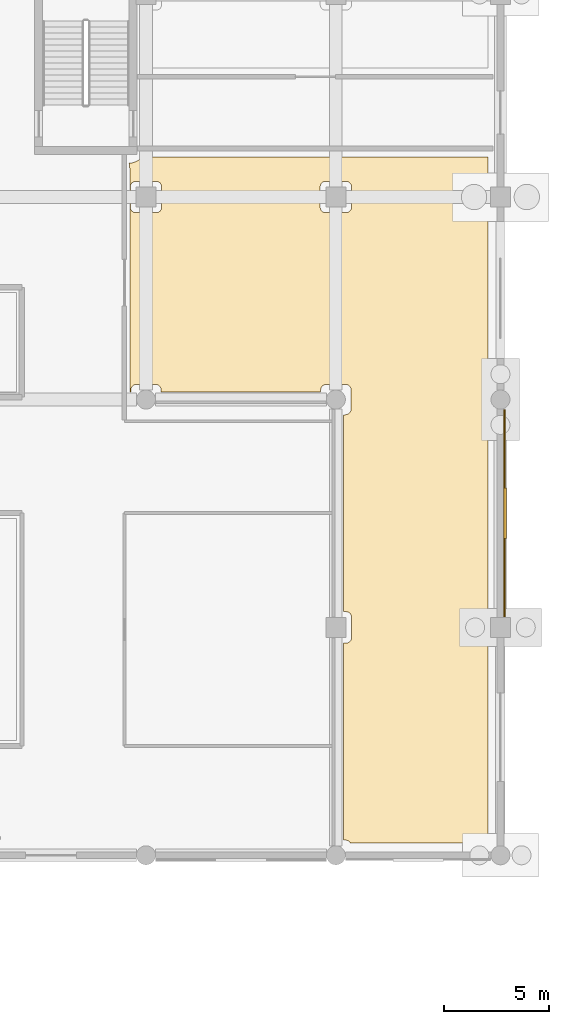
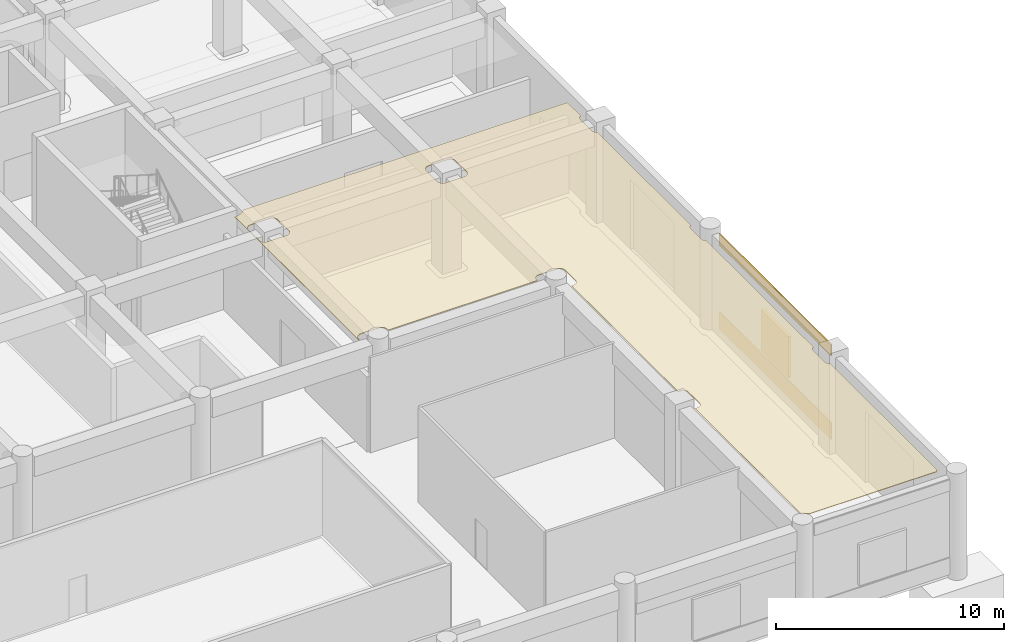
# One storey, part 70 of 74: 3 coverings, 1 shading device.
"""IFC4 building model written with IfcOpenShell, lengths in metres."""

import ifcopenshell
import ifcopenshell.guid

model = None  # the IFC model being written
_history = None  # IfcOwnerHistory: only IFC2X3 demands one
_inside = {}  # id of a spatial element -> (the spatial element, [elements in it])
_under = {}  # id of a project, library or spatial element -> (it, [spatial elements below it])
_declared = {}  # id of a project -> (the project, [libraries it declares])
_typed = {}  # id of a type object -> (the type object, [elements of that type])
_made_of = {}  # id of a material, layer set ... -> (it, [elements and type objects made of it])


def new_model(schema):
    """Start an empty IFC model of exactly this schema.

    Asked for "IFC4X3", IfcOpenShell would pick the latest addendum, in which some entities
    have other attributes; the version numbers below select the first issue.
    IFC2X3 requires an IfcOwnerHistory on every rooted entity: one is made here for all.
    """
    global model, _history
    if schema == "IFC4X3":
        model = ifcopenshell.file(schema_version=(4, 3, 0, 0))
    else:
        model = ifcopenshell.file(schema=schema)
    _inside.clear()
    _under.clear()
    _declared.clear()
    _typed.clear()
    _made_of.clear()
    _history = None
    if model.schema == "IFC2X3":
        org = make("IfcOrganization", Name="unknown")
        user = make(
            "IfcPersonAndOrganization",
            ThePerson=make("IfcPerson", FamilyName="unknown"),
            TheOrganization=org,
        )
        app = make(
            "IfcApplication",
            ApplicationDeveloper=org,
            Version="unknown",
            ApplicationFullName="unknown",
            ApplicationIdentifier="unknown",
        )
        _history = make(
            "IfcOwnerHistory",
            OwningUser=user,
            OwningApplication=app,
            ChangeAction="ADDED",
            CreationDate=0,
        )
    return model


def make(cls, **values):
    """One entity of the class cls with the attributes given. An attribute that is None is left unset."""
    return model.create_entity(
        cls, **{name: value for name, value in values.items() if value is not None}
    )


def rooted(cls, **values):
    """An entity with a GlobalId (a new one), such as an element, a storey or a relation."""
    return make(cls, GlobalId=ifcopenshell.guid.new(), OwnerHistory=_history, **values)


def si_unit(unit_type, name, prefix=None):
    """IfcSIUnit, for example si_unit("LENGTHUNIT", "METRE", prefix="MILLI")."""
    return make("IfcSIUnit", UnitType=unit_type, Prefix=prefix, Name=name)


def assignment(units):
    """IfcUnitAssignment: the units of a project."""
    return None if units is None else make("IfcUnitAssignment", Units=units)


def point(xyz):
    """IfcCartesianPoint."""
    return None if xyz is None else make("IfcCartesianPoint", Coordinates=xyz)


def direction(xyz):
    """IfcDirection."""
    return None if xyz is None else make("IfcDirection", DirectionRatios=xyz)


def frame(location, z_axis=None, x_axis=None):
    """IfcAxis2Placement3D, a coordinate frame: its origin and axes. An axis left out is left unset."""
    return make(
        "IfcAxis2Placement3D",
        Location=point(location),
        Axis=direction(z_axis),
        RefDirection=direction(x_axis),
    )


def frame_2d(location, x_axis=None):
    """IfcAxis2Placement2D, a coordinate frame in the plane: its origin and x axis."""
    return make(
        "IfcAxis2Placement2D", Location=point(location), RefDirection=direction(x_axis)
    )


def origin():
    """The frame at (0, 0, 0) with its axes left unset."""
    return frame((0.0, 0.0, 0.0))


def origin_2d():
    """The frame at (0, 0) in the plane with its x axis left unset."""
    return frame_2d((0.0, 0.0))


def place(relative_to, where):
    """IfcLocalPlacement: puts the frame where relative to a parent placement (None: the world)."""
    return make(
        "IfcLocalPlacement", PlacementRelTo=relative_to, RelativePlacement=where
    )


def context(
    kind, dimensions, precision=None, world=None, true_north=None, identifier=None
):
    """IfcGeometricRepresentationContext, for example the 3D "Model" context."""
    return make(
        "IfcGeometricRepresentationContext",
        ContextIdentifier=identifier,
        ContextType=kind,
        CoordinateSpaceDimension=dimensions,
        Precision=precision,
        WorldCoordinateSystem=world,
        TrueNorth=true_north,
    )


def subcontext(parent, identifier, kind, view, scale=None):
    """IfcGeometricRepresentationSubContext, for example "Body" below "Model"."""
    return make(
        "IfcGeometricRepresentationSubContext",
        ContextIdentifier=identifier,
        ContextType=kind,
        ParentContext=parent,
        TargetScale=scale,
        TargetView=view,
    )


def project(units=None, contexts=None):
    """IfcProject with its units and contexts."""
    return rooted(
        "IfcProject",
        Name="project",
        RepresentationContexts=contexts,
        UnitsInContext=assignment(units),
    )


def spatial(cls, under=None, at=None, **own):
    """A site, building, storey or space (cls), placed at a placement, below another one or the project."""
    s = rooted(cls, ObjectPlacement=at, **own)
    if under is not None:
        _under.setdefault(under.id(), (under, []))[1].append(s)
    return s


def polyline(points):
    """IfcPolyline through the points."""
    return make("IfcPolyline", Points=[point(p) for p in points])


def profile(cls, at=None, kind="AREA", **sizes):
    """A parametric profile (cls). Its sizes go by their IFC names, for example OverallWidth=200.0."""
    return make(cls, ProfileType=kind, Position=at, **sizes)


def rectangle(**sizes):
    """IfcRectangleProfileDef."""
    return profile("IfcRectangleProfileDef", **sizes)


def outline(outer, holes=None, kind="AREA"):
    """IfcArbitraryClosedProfileDef: a profile drawn as a closed curve; with holes, ...WithVoids."""
    if holes is None:
        return make("IfcArbitraryClosedProfileDef", ProfileType=kind, OuterCurve=outer)
    return make(
        "IfcArbitraryProfileDefWithVoids",
        ProfileType=kind,
        OuterCurve=outer,
        InnerCurves=holes,
    )


def extrude(swept, where, along, depth):
    """IfcExtrudedAreaSolid: the profile swept, set in the frame where, extruded along a direction by depth."""
    return make(
        "IfcExtrudedAreaSolid",
        SweptArea=swept,
        Position=where,
        ExtrudedDirection=direction(along),
        Depth=depth,
    )


def shape(context_of_items, identifier, shape_type, items):
    """IfcShapeRepresentation: the items that make up one representation, for example the "Body"."""
    return make(
        "IfcShapeRepresentation",
        ContextOfItems=context_of_items,
        RepresentationIdentifier=identifier,
        RepresentationType=shape_type,
        Items=items,
    )


def material(Name=None, Category=None):
    """IfcMaterial."""
    return make("IfcMaterial", Name=Name, Category=Category)


def layer(
    of_material, thickness, ventilated=None, Name=None, Category=None, Priority=None
):
    """IfcMaterialLayer: one layer of a wall or slab, of a material (None: an air gap)."""
    return make(
        "IfcMaterialLayer",
        Material=of_material,
        LayerThickness=thickness,
        IsVentilated=ventilated,
        Name=Name,
        Category=Category,
        Priority=Priority,
    )


def layer_set(layers, Name=None):
    """IfcMaterialLayerSet."""
    return make("IfcMaterialLayerSet", MaterialLayers=layers, LayerSetName=Name)


def made_of(thing, what):
    """Note that an element or type object is made of a material, layer set ...; save() writes the relation."""
    if what is not None:
        _made_of.setdefault(what.id(), (what, []))[1].append(thing)
    return thing


def type_object(cls, material=None, **own):
    """A type object (cls), such as IfcWallType, which elements share."""
    return made_of(rooted(cls, **own), material)


def element(
    cls,
    number,
    at=None,
    inside=None,
    cuts=None,
    type_object=None,
    material=None,
    context=None,
    identifier="Body",
    shape_type=None,
    held_by="IfcProductDefinitionShape",
    body=None,
    shapes=None,
    **own,
):
    """One element of the class cls, such as IfcWall. Its Tag is "e" and its number.

    at: its placement. inside: the storey or other place that contains it. cuts: it is an
    opening in that element (IfcRelVoidsElement). A single representation is given by context,
    identifier, shape_type and body (its items); several are given by shapes. held_by: the class
    of the entity that holds the representations. save() writes the other relations.
    """
    e = rooted(cls, Tag="e%d" % number, ObjectPlacement=at, **own)
    if body is not None:
        shapes = [shape(context, identifier, shape_type, body)]
    if shapes is not None:
        e.Representation = make(held_by, Representations=shapes)
    if inside is not None:
        _inside.setdefault(inside.id(), (inside, []))[1].append(e)
    if cuts is not None:
        rooted(
            "IfcRelVoidsElement", RelatingBuildingElement=cuts, RelatedOpeningElement=e
        )
    if type_object is not None:
        _typed.setdefault(type_object.id(), (type_object, []))[1].append(e)
    return made_of(e, material)


def aggregate(whole, parts):
    """IfcRelAggregates: a whole, such as a stair, and the parts it consists of."""
    return rooted("IfcRelAggregates", RelatingObject=whole, RelatedObjects=parts)


def save(model, path):
    """Write the relations noted so far, then the file.

    IfcRelAggregates (storeys below a building ...), IfcRelContainedInSpatialStructure (elements
    in a storey), IfcRelDefinesByType, IfcRelAssociatesMaterial and IfcRelDeclares: one each for
    every whole, place, type object, material and project.
    """
    for whole, parts in _under.values():
        aggregate(whole, parts)
    for where, things in _inside.values():
        rooted(
            "IfcRelContainedInSpatialStructure",
            RelatedElements=things,
            RelatingStructure=where,
        )
    for kind, things in _typed.values():
        rooted("IfcRelDefinesByType", RelatedObjects=things, RelatingType=kind)
    for what, things in _made_of.values():
        rooted("IfcRelAssociatesMaterial", RelatedObjects=things, RelatingMaterial=what)
    for by, libraries in _declared.values():
        rooted("IfcRelDeclares", RelatingContext=by, RelatedDefinitions=libraries)
    model.write(path)


model = new_model("IFC4")

# Units and contexts
model_context = context("Model", 3, precision=1e-05, world=origin(), true_north=direction((0.0, 1.0)))
body_context = subcontext(model_context, "Body", "Model", "MODEL_VIEW")
ifc_project = project(units=[si_unit("LENGTHUNIT", "METRE"), si_unit("AREAUNIT", "SQUARE_METRE"), si_unit("VOLUMEUNIT", "CUBIC_METRE"), si_unit("PLANEANGLEUNIT", "RADIAN"), si_unit("MASSUNIT", "GRAM", prefix="KILO")], contexts=[model_context])

# Site, building, storey
site_placement = place(None, origin())
site = spatial("IfcSite", under=ifc_project, at=site_placement, CompositionType="ELEMENT")
building_placement = place(site_placement, origin())
building = spatial("IfcBuilding", under=site, at=building_placement, Name="Cendralis Terraced Arcade", CompositionType="ELEMENT")
storey_placement = place(building_placement, origin())
storey = spatial("IfcBuildingStorey", under=building, at=storey_placement, Name="L00", CompositionType="ELEMENT", Elevation=0.0)

# Coverings
ifc_material_1 = material(Name="Warm Andean oak timber", Category="wood")
ifc_layer_1 = layer(ifc_material_1, 0.034912109375, Name="COV-CEIL-OAK-35")
ifc_layer_set_1 = layer_set([ifc_layer_1], Name="Warm Andean oak timber")
covering_type_1 = type_object("IfcCoveringType", Name="COV-CEIL-OAK-35", PredefinedType="CEILING", material=ifc_layer_set_1)
covering_1_placement = place(storey_placement, frame((0.0, 0.0, 5.054931640625)))
element("IfcCovering", 1, at=covering_1_placement, inside=storey, type_object=covering_type_1, Name="Acoustic Soffit Ceiling L00-047", PredefinedType="CEILING", context=body_context, shape_type="SweptSolid", body=[
    extrude(outline(polyline([(156.406005859375, 71.210205078125), (156.412109375, 71.210205078125), (156.418212890625, 71.21044921875), (156.459228515625, 71.21240234375), (156.4716796875, 71.21337890625), (156.4833984375, 71.214599609375), (156.49560546875, 71.216064453125), (156.5361328125, 71.22216796875), (156.54833984375, 71.22412109375), (156.559814453125, 71.2265625), (156.57177734375, 71.229248046875), (156.61181640625, 71.2392578125), (156.62353515625, 71.242431640625), (156.635009765625, 71.245849609375), (156.646484375, 71.249755859375), (156.685302734375, 71.263671875), (156.69677734375, 71.26806640625), (156.707763671875, 71.2724609375), (156.718994140625, 71.277587890625), (156.756103515625, 71.295166015625), (156.76708984375, 71.300537109375), (156.777587890625, 71.30615234375), (156.7880859375, 71.312255859375), (156.823486328125, 71.33349609375), (156.833984375, 71.340087890625), (156.84375, 71.346435546875), (156.853759765625, 71.353515625), (156.886962890625, 71.378173828125), (156.896484375, 71.3857421875), (156.905517578125, 71.393310546875), (156.914794921875, 71.401123046875), (156.945556640625, 71.428955078125), (156.954345703125, 71.437255859375), (156.962646484375, 71.44580078125), (156.97119140625, 71.45458984375), (156.998779296875, 71.485107421875), (157.003173828125, 71.489990234375), (173.409912109375, 71.489990234375), (173.409912109375, 70.3193359375), (173.40869140625, 70.318603515625), (173.386962890625, 70.30712890625), (173.385498046875, 70.30615234375), (173.364990234375, 70.29248046875), (173.36328125, 70.291259765625), (173.344482421875, 70.275634765625), (173.343017578125, 70.2744140625), (173.32568359375, 70.257080078125), (173.32421875, 70.255615234375), (173.30859375, 70.236572265625), (173.3076171875, 70.235107421875), (173.2939453125, 70.214599609375), (173.29296875, 70.212890625), (173.281494140625, 70.19140625), (173.280517578125, 70.189453125), (173.27099609375, 70.1669921875), (173.2705078125, 70.1650390625), (173.263427734375, 70.1416015625), (173.262939453125, 70.1396484375), (173.258056640625, 70.115478515625), (173.2578125, 70.113525390625), (173.25537109375, 70.089111328125), (173.25537109375, 70.08740234375), (173.2548828125, 70.074951171875), (173.2548828125, 69.125), (173.25537109375, 69.11279296875), (173.25537109375, 69.11083984375), (173.2578125, 69.08642578125), (173.258056640625, 69.08447265625), (173.262939453125, 69.060302734375), (173.263427734375, 69.058349609375), (173.2705078125, 69.034912109375), (173.27099609375, 69.033203125), (173.280517578125, 69.010498046875), (173.281494140625, 69.0087890625), (173.29296875, 68.987060546875), (173.2939453125, 68.9853515625), (173.3076171875, 68.965087890625), (173.30859375, 68.96337890625), (173.32421875, 68.9443359375), (173.32568359375, 68.943115234375), (173.343017578125, 68.925537109375), (173.344482421875, 68.92431640625), (173.36328125, 68.90869140625), (173.364990234375, 68.90771484375), (173.385498046875, 68.893798828125), (173.386962890625, 68.892822265625), (173.40869140625, 68.88134765625), (173.409912109375, 68.880615234375), (173.409912109375, 60.680908203125), (173.389892578125, 60.66748046875), (173.388427734375, 60.666259765625), (173.369384765625, 60.650634765625), (173.367919921875, 60.6494140625), (173.3505859375, 60.632080078125), (173.349365234375, 60.630615234375), (173.333740234375, 60.611572265625), (173.33251953125, 60.610107421875), (173.31884765625, 60.589599609375), (173.31787109375, 60.587890625), (173.306396484375, 60.56640625), (173.305419921875, 60.564453125), (173.296142578125, 60.5419921875), (173.29541015625, 60.5400390625), (173.288330078125, 60.5166015625), (173.287841796875, 60.5146484375), (173.283203125, 60.490478515625), (173.28271484375, 60.488525390625), (173.280517578125, 60.464111328125), (173.2802734375, 60.46240234375), (173.280029296875, 60.449951171875), (173.280029296875, 59.550048828125), (173.2802734375, 59.53759765625), (173.280517578125, 59.535888671875), (173.28271484375, 59.511474609375), (173.283203125, 59.509521484375), (173.287841796875, 59.4853515625), (173.288330078125, 59.4833984375), (173.29541015625, 59.4599609375), (173.296142578125, 59.4580078125), (173.305419921875, 59.435546875), (173.306396484375, 59.43359375), (173.31787109375, 59.412109375), (173.31884765625, 59.410400390625), (173.33251953125, 59.389892578125), (173.333740234375, 59.388427734375), (173.349365234375, 59.369384765625), (173.3505859375, 59.367919921875), (173.367919921875, 59.3505859375), (173.369384765625, 59.349365234375), (173.388427734375, 59.333740234375), (173.389892578125, 59.33251953125), (173.409912109375, 59.319091796875), (173.409912109375, 49.919189453125), (173.40869140625, 49.918701171875), (173.386962890625, 49.906982421875), (173.385498046875, 49.906005859375), (173.364990234375, 49.892333984375), (173.36328125, 49.891357421875), (173.344482421875, 49.875732421875), (173.343017578125, 49.87451171875), (173.32568359375, 49.85693359375), (173.32421875, 49.855712890625), (173.30859375, 49.836669921875), (173.3076171875, 49.8349609375), (173.2939453125, 49.814697265625), (173.29296875, 49.81298828125), (173.281494140625, 49.791259765625), (173.280517578125, 49.78955078125), (173.27099609375, 49.766845703125), (173.2705078125, 49.764892578125), (173.263427734375, 49.74169921875), (173.262939453125, 49.739501953125), (173.258056640625, 49.715576171875), (173.2578125, 49.713623046875), (173.25537109375, 49.689208984375), (173.25537109375, 49.687255859375), (173.2548828125, 49.675048828125), (173.2548828125, 48.72509765625), (173.25537109375, 48.712646484375), (173.25537109375, 48.710693359375), (173.2578125, 48.686279296875), (173.258056640625, 48.684326171875), (173.262939453125, 48.660400390625), (173.263427734375, 48.658447265625), (173.2705078125, 48.635009765625), (173.27099609375, 48.633056640625), (173.280517578125, 48.610595703125), (173.281494140625, 48.608642578125), (173.29296875, 48.5869140625), (173.2939453125, 48.58544921875), (173.3076171875, 48.56494140625), (173.30859375, 48.5634765625), (173.32421875, 48.54443359375), (173.32568359375, 48.54296875), (173.343017578125, 48.525634765625), (173.344482421875, 48.5244140625), (173.36328125, 48.5087890625), (173.364990234375, 48.507568359375), (173.385498046875, 48.493896484375), (173.386962890625, 48.492919921875), (173.40869140625, 48.4814453125), (173.409912109375, 48.480712890625), (173.409912109375, 39.080810546875), (173.389892578125, 39.0673828125), (173.388427734375, 39.06640625), (173.369384765625, 39.05078125), (173.367919921875, 39.04931640625), (173.3505859375, 39.031982421875), (173.349365234375, 39.030517578125), (173.333740234375, 39.01171875), (173.33251953125, 39.010009765625), (173.319091796875, 38.989990234375), (166.880859375, 38.989990234375), (166.867431640625, 39.010009765625), (166.8662109375, 39.01171875), (166.8505859375, 39.030517578125), (166.849365234375, 39.031982421875), (166.83203125, 39.04931640625), (166.83056640625, 39.05078125), (166.8115234375, 39.06640625), (166.81005859375, 39.0673828125), (166.78955078125, 39.0810546875), (166.7880859375, 39.08203125), (166.766357421875, 39.093505859375), (166.764404296875, 39.094482421875), (166.741943359375, 39.10400390625), (166.739990234375, 39.1044921875), (166.716552734375, 39.111572265625), (166.714599609375, 39.112060546875), (166.690673828125, 39.116943359375), (166.688720703125, 39.1171875), (166.664306640625, 39.11962890625), (166.662353515625, 39.11962890625), (166.64990234375, 39.1201171875), (166.570068359375, 39.1201171875), (166.570068359375, 48.455078125), (166.675048828125, 48.455078125), (166.687255859375, 48.455322265625), (166.689208984375, 48.455322265625), (166.713623046875, 48.457763671875), (166.715576171875, 48.4580078125), (166.739501953125, 48.462890625), (166.74169921875, 48.46337890625), (166.764892578125, 48.470458984375), (166.766845703125, 48.47119140625), (166.78955078125, 48.48046875), (166.791259765625, 48.4814453125), (166.81298828125, 48.492919921875), (166.814697265625, 48.493896484375), (166.8349609375, 48.507568359375), (166.836669921875, 48.5087890625), (166.855712890625, 48.5244140625), (166.85693359375, 48.525634765625), (166.87451171875, 48.54296875), (166.875732421875, 48.54443359375), (166.891357421875, 48.5634765625), (166.892333984375, 48.56494140625), (166.906005859375, 48.58544921875), (166.906982421875, 48.5869140625), (166.918701171875, 48.608642578125), (166.91943359375, 48.610595703125), (166.928955078125, 48.633056640625), (166.929443359375, 48.635009765625), (166.9365234375, 48.658447265625), (166.93701171875, 48.660400390625), (166.94189453125, 48.684326171875), (166.942138671875, 48.686279296875), (166.944580078125, 48.710693359375), (166.944580078125, 48.712646484375), (166.945068359375, 48.72509765625), (166.945068359375, 49.675048828125), (166.944580078125, 49.687255859375), (166.944580078125, 49.689208984375), (166.942138671875, 49.713623046875), (166.94189453125, 49.715576171875), (166.93701171875, 49.739501953125), (166.9365234375, 49.74169921875), (166.929443359375, 49.764892578125), (166.928955078125, 49.766845703125), (166.91943359375, 49.78955078125), (166.918701171875, 49.791259765625), (166.906982421875, 49.81298828125), (166.906005859375, 49.814697265625), (166.892333984375, 49.8349609375), (166.891357421875, 49.836669921875), (166.875732421875, 49.855712890625), (166.87451171875, 49.85693359375), (166.85693359375, 49.87451171875), (166.855712890625, 49.875732421875), (166.836669921875, 49.891357421875), (166.8349609375, 49.892333984375), (166.814697265625, 49.906005859375), (166.81298828125, 49.906982421875), (166.791259765625, 49.918701171875), (166.78955078125, 49.91943359375), (166.766845703125, 49.928955078125), (166.764892578125, 49.929443359375), (166.74169921875, 49.9365234375), (166.739501953125, 49.93701171875), (166.715576171875, 49.94189453125), (166.713623046875, 49.942138671875), (166.689208984375, 49.944580078125), (166.687255859375, 49.944580078125), (166.675048828125, 49.945068359375), (166.570068359375, 49.945068359375), (166.570068359375, 59.280029296875), (166.64990234375, 59.280029296875), (166.662353515625, 59.2802734375), (166.664306640625, 59.280517578125), (166.688720703125, 59.28271484375), (166.690673828125, 59.283203125), (166.714599609375, 59.287841796875), (166.716552734375, 59.288330078125), (166.739990234375, 59.29541015625), (166.741943359375, 59.296142578125), (166.764404296875, 59.305419921875), (166.766357421875, 59.306396484375), (166.7880859375, 59.31787109375), (166.78955078125, 59.31884765625), (166.81005859375, 59.33251953125), (166.8115234375, 59.333740234375), (166.83056640625, 59.349365234375), (166.83203125, 59.3505859375), (166.849365234375, 59.367919921875), (166.8505859375, 59.369384765625), (166.8662109375, 59.388427734375), (166.867431640625, 59.389892578125), (166.881103515625, 59.410400390625), (166.882080078125, 59.412109375), (166.8935546875, 59.43359375), (166.89453125, 59.435546875), (166.90380859375, 59.4580078125), (166.904541015625, 59.4599609375), (166.91162109375, 59.4833984375), (166.912109375, 59.4853515625), (166.9169921875, 59.509521484375), (166.917236328125, 59.511474609375), (166.919677734375, 59.535888671875), (166.919677734375, 59.53759765625), (166.919921875, 59.550048828125), (166.919921875, 60.449951171875), (166.919677734375, 60.46240234375), (166.919677734375, 60.464111328125), (166.917236328125, 60.488525390625), (166.9169921875, 60.490478515625), (166.912109375, 60.5146484375), (166.91162109375, 60.5166015625), (166.904541015625, 60.5400390625), (166.90380859375, 60.5419921875), (166.89453125, 60.564453125), (166.8935546875, 60.56640625), (166.882080078125, 60.587890625), (166.881103515625, 60.589599609375), (166.867431640625, 60.610107421875), (166.8662109375, 60.611572265625), (166.8505859375, 60.630615234375), (166.849365234375, 60.632080078125), (166.83203125, 60.6494140625), (166.83056640625, 60.650634765625), (166.8115234375, 60.666259765625), (166.81005859375, 60.66748046875), (166.78955078125, 60.68115234375), (166.7880859375, 60.68212890625), (166.766357421875, 60.693603515625), (166.764404296875, 60.694580078125), (166.741943359375, 60.703857421875), (166.739990234375, 60.70458984375), (166.716552734375, 60.711669921875), (166.714599609375, 60.712158203125), (166.690673828125, 60.716796875), (166.688720703125, 60.71728515625), (166.664306640625, 60.719482421875), (166.662353515625, 60.7197265625), (166.64990234375, 60.719970703125), (165.75, 60.719970703125), (165.73779296875, 60.7197265625), (165.73583984375, 60.719482421875), (165.71142578125, 60.71728515625), (165.70947265625, 60.716796875), (165.685302734375, 60.712158203125), (165.683349609375, 60.711669921875), (165.659912109375, 60.70458984375), (165.658203125, 60.703857421875), (165.635498046875, 60.694580078125), (165.6337890625, 60.693603515625), (165.612060546875, 60.68212890625), (165.6103515625, 60.68115234375), (165.590087890625, 60.66748046875), (165.58837890625, 60.666259765625), (165.5693359375, 60.650634765625), (165.568115234375, 60.6494140625), (165.550537109375, 60.632080078125), (165.54931640625, 60.630615234375), (165.53369140625, 60.611572265625), (165.53271484375, 60.610107421875), (165.518798828125, 60.589599609375), (165.517822265625, 60.587890625), (165.50634765625, 60.56640625), (165.505615234375, 60.564453125), (165.49609375, 60.5419921875), (165.49560546875, 60.5400390625), (165.48828125, 60.5166015625), (165.48779296875, 60.5146484375), (165.483154296875, 60.490478515625), (165.48291015625, 60.488525390625), (165.48046875, 60.464111328125), (165.480224609375, 60.46240234375), (165.47998046875, 60.449951171875), (165.47998046875, 60.3701171875), (157.919921875, 60.3701171875), (157.919921875, 60.449951171875), (157.919677734375, 60.46240234375), (157.919677734375, 60.464111328125), (157.917236328125, 60.488525390625), (157.9169921875, 60.490478515625), (157.912109375, 60.5146484375), (157.91162109375, 60.5166015625), (157.904541015625, 60.5400390625), (157.90380859375, 60.5419921875), (157.89453125, 60.564453125), (157.8935546875, 60.56640625), (157.882080078125, 60.587890625), (157.881103515625, 60.589599609375), (157.867431640625, 60.610107421875), (157.8662109375, 60.611572265625), (157.8505859375, 60.630615234375), (157.849365234375, 60.632080078125), (157.83203125, 60.6494140625), (157.83056640625, 60.650634765625), (157.8115234375, 60.666259765625), (157.81005859375, 60.66748046875), (157.78955078125, 60.68115234375), (157.7880859375, 60.68212890625), (157.766357421875, 60.693603515625), (157.764404296875, 60.694580078125), (157.741943359375, 60.703857421875), (157.739990234375, 60.70458984375), (157.716552734375, 60.711669921875), (157.714599609375, 60.712158203125), (157.690673828125, 60.716796875), (157.688720703125, 60.71728515625), (157.664306640625, 60.719482421875), (157.662353515625, 60.7197265625), (157.64990234375, 60.719970703125), (156.75, 60.719970703125), (156.73779296875, 60.7197265625), (156.73583984375, 60.719482421875), (156.71142578125, 60.71728515625), (156.70947265625, 60.716796875), (156.685302734375, 60.712158203125), (156.683349609375, 60.711669921875), (156.659912109375, 60.70458984375), (156.658203125, 60.703857421875), (156.635498046875, 60.694580078125), (156.6337890625, 60.693603515625), (156.612060546875, 60.68212890625), (156.6103515625, 60.68115234375), (156.590087890625, 60.66748046875), (156.58837890625, 60.666259765625), (156.5693359375, 60.650634765625), (156.568115234375, 60.6494140625), (156.550537109375, 60.632080078125), (156.54931640625, 60.630615234375), (156.53369140625, 60.611572265625), (156.53271484375, 60.610107421875), (156.518798828125, 60.589599609375), (156.517822265625, 60.587890625), (156.50634765625, 60.56640625), (156.505615234375, 60.564453125), (156.49609375, 60.5419921875), (156.49560546875, 60.5400390625), (156.48828125, 60.5166015625), (156.48779296875, 60.5146484375), (156.483154296875, 60.490478515625), (156.48291015625, 60.488525390625), (156.48046875, 60.464111328125), (156.480224609375, 60.46240234375), (156.47998046875, 60.449951171875), (156.47998046875, 60.3701171875), (156.429931640625, 60.3701171875), (156.429931640625, 70.9599609375), (156.429931640625, 70.963134765625), (156.429931640625, 70.966064453125), (156.429931640625, 70.968994140625), (156.4296875, 70.97509765625), (156.4296875, 70.97802734375), (156.429443359375, 70.98095703125), (156.429443359375, 70.98388671875), (156.426513671875, 71.044921875), (156.426025390625, 71.05078125), (156.425537109375, 71.056884765625), (156.425048828125, 71.06298828125), (156.423828125, 71.07470703125), (156.42333984375, 71.080810546875), (156.422607421875, 71.086669921875), (156.421630859375, 71.0927734375), (156.412841796875, 71.15283203125), (156.411865234375, 71.158935546875), (156.410888671875, 71.164794921875), (156.40966796875, 71.170654296875), (156.407470703125, 71.182373046875), (156.406005859375, 71.188232421875), (156.40478515625, 71.194091796875), (156.4033203125, 71.199951171875), (156.40087890625, 71.2099609375), (156.406005859375, 71.210205078125)]), holes=[polyline([(165.58544921875, 68.893798828125), (165.5869140625, 68.892822265625), (165.608642578125, 68.88134765625), (165.610595703125, 68.880615234375), (165.633056640625, 68.87109375), (165.635009765625, 68.87060546875), (165.658447265625, 68.86328125), (165.660400390625, 68.86279296875), (165.684326171875, 68.858154296875), (165.686279296875, 68.85791015625), (165.710693359375, 68.85546875), (165.712646484375, 68.855224609375), (165.72509765625, 68.85498046875), (166.675048828125, 68.85498046875), (166.687255859375, 68.855224609375), (166.689208984375, 68.85546875), (166.713623046875, 68.85791015625), (166.715576171875, 68.858154296875), (166.739501953125, 68.86279296875), (166.74169921875, 68.86328125), (166.764892578125, 68.87060546875), (166.766845703125, 68.87109375), (166.78955078125, 68.880615234375), (166.791259765625, 68.88134765625), (166.81298828125, 68.892822265625), (166.814697265625, 68.893798828125), (166.8349609375, 68.90771484375), (166.836669921875, 68.90869140625), (166.855712890625, 68.92431640625), (166.85693359375, 68.925537109375), (166.87451171875, 68.943115234375), (166.875732421875, 68.9443359375), (166.891357421875, 68.96337890625), (166.892333984375, 68.965087890625), (166.906005859375, 68.9853515625), (166.906982421875, 68.987060546875), (166.918701171875, 69.0087890625), (166.91943359375, 69.010498046875), (166.928955078125, 69.033203125), (166.929443359375, 69.034912109375), (166.9365234375, 69.058349609375), (166.93701171875, 69.060302734375), (166.94189453125, 69.08447265625), (166.942138671875, 69.08642578125), (166.944580078125, 69.11083984375), (166.944580078125, 69.11279296875), (166.945068359375, 69.125), (166.945068359375, 70.074951171875), (166.944580078125, 70.08740234375), (166.944580078125, 70.089111328125), (166.942138671875, 70.113525390625), (166.94189453125, 70.115478515625), (166.93701171875, 70.1396484375), (166.9365234375, 70.1416015625), (166.929443359375, 70.1650390625), (166.928955078125, 70.1669921875), (166.91943359375, 70.189453125), (166.918701171875, 70.19140625), (166.906982421875, 70.212890625), (166.906005859375, 70.214599609375), (166.892333984375, 70.235107421875), (166.891357421875, 70.236572265625), (166.875732421875, 70.255615234375), (166.87451171875, 70.257080078125), (166.85693359375, 70.2744140625), (166.855712890625, 70.275634765625), (166.836669921875, 70.291259765625), (166.8349609375, 70.29248046875), (166.814697265625, 70.30615234375), (166.81298828125, 70.30712890625), (166.791259765625, 70.318603515625), (166.78955078125, 70.319580078125), (166.766845703125, 70.328857421875), (166.764892578125, 70.32958984375), (166.74169921875, 70.336669921875), (166.739501953125, 70.337158203125), (166.715576171875, 70.341796875), (166.713623046875, 70.34228515625), (166.689208984375, 70.344482421875), (166.687255859375, 70.3447265625), (166.675048828125, 70.344970703125), (165.72509765625, 70.344970703125), (165.712646484375, 70.3447265625), (165.710693359375, 70.344482421875), (165.686279296875, 70.34228515625), (165.684326171875, 70.341796875), (165.660400390625, 70.337158203125), (165.658447265625, 70.336669921875), (165.635009765625, 70.32958984375), (165.633056640625, 70.328857421875), (165.610595703125, 70.319580078125), (165.608642578125, 70.318603515625), (165.5869140625, 70.30712890625), (165.58544921875, 70.30615234375), (165.56494140625, 70.29248046875), (165.5634765625, 70.291259765625), (165.54443359375, 70.275634765625), (165.54296875, 70.2744140625), (165.525634765625, 70.257080078125), (165.5244140625, 70.255615234375), (165.5087890625, 70.236572265625), (165.507568359375, 70.235107421875), (165.493896484375, 70.214599609375), (165.492919921875, 70.212890625), (165.4814453125, 70.19140625), (165.48046875, 70.189453125), (165.47119140625, 70.1669921875), (165.470458984375, 70.1650390625), (165.46337890625, 70.1416015625), (165.462890625, 70.1396484375), (165.4580078125, 70.115478515625), (165.457763671875, 70.113525390625), (165.455322265625, 70.089111328125), (165.455322265625, 70.08740234375), (165.455078125, 70.074951171875), (165.455078125, 69.125), (165.455322265625, 69.11279296875), (165.455322265625, 69.11083984375), (165.457763671875, 69.08642578125), (165.4580078125, 69.08447265625), (165.462890625, 69.060302734375), (165.46337890625, 69.058349609375), (165.470458984375, 69.034912109375), (165.47119140625, 69.033203125), (165.48046875, 69.010498046875), (165.4814453125, 69.0087890625), (165.492919921875, 68.987060546875), (165.493896484375, 68.9853515625), (165.507568359375, 68.965087890625), (165.5087890625, 68.96337890625), (165.5244140625, 68.9443359375), (165.525634765625, 68.943115234375), (165.54296875, 68.925537109375), (165.54443359375, 68.92431640625), (165.5634765625, 68.90869140625), (165.56494140625, 68.90771484375), (165.58544921875, 68.893798828125)]), polyline([(156.608642578125, 68.88134765625), (156.610595703125, 68.880615234375), (156.633056640625, 68.87109375), (156.635009765625, 68.87060546875), (156.658447265625, 68.86328125), (156.660400390625, 68.86279296875), (156.684326171875, 68.858154296875), (156.686279296875, 68.85791015625), (156.710693359375, 68.85546875), (156.712646484375, 68.855224609375), (156.72509765625, 68.85498046875), (157.675048828125, 68.85498046875), (157.687255859375, 68.855224609375), (157.689208984375, 68.85546875), (157.713623046875, 68.85791015625), (157.715576171875, 68.858154296875), (157.739501953125, 68.86279296875), (157.74169921875, 68.86328125), (157.764892578125, 68.87060546875), (157.766845703125, 68.87109375), (157.78955078125, 68.880615234375), (157.791259765625, 68.88134765625), (157.81298828125, 68.892822265625), (157.814697265625, 68.893798828125), (157.8349609375, 68.90771484375), (157.836669921875, 68.90869140625), (157.855712890625, 68.92431640625), (157.85693359375, 68.925537109375), (157.87451171875, 68.943115234375), (157.875732421875, 68.9443359375), (157.891357421875, 68.96337890625), (157.892333984375, 68.965087890625), (157.906005859375, 68.9853515625), (157.906982421875, 68.987060546875), (157.918701171875, 69.0087890625), (157.91943359375, 69.010498046875), (157.928955078125, 69.033203125), (157.929443359375, 69.034912109375), (157.9365234375, 69.058349609375), (157.93701171875, 69.060302734375), (157.94189453125, 69.08447265625), (157.942138671875, 69.08642578125), (157.944580078125, 69.11083984375), (157.944580078125, 69.11279296875), (157.945068359375, 69.125), (157.945068359375, 70.074951171875), (157.944580078125, 70.08740234375), (157.944580078125, 70.089111328125), (157.942138671875, 70.113525390625), (157.94189453125, 70.115478515625), (157.93701171875, 70.1396484375), (157.9365234375, 70.1416015625), (157.929443359375, 70.1650390625), (157.928955078125, 70.1669921875), (157.91943359375, 70.189453125), (157.918701171875, 70.19140625), (157.906982421875, 70.212890625), (157.906005859375, 70.214599609375), (157.892333984375, 70.235107421875), (157.891357421875, 70.236572265625), (157.875732421875, 70.255615234375), (157.87451171875, 70.257080078125), (157.85693359375, 70.2744140625), (157.855712890625, 70.275634765625), (157.836669921875, 70.291259765625), (157.8349609375, 70.29248046875), (157.814697265625, 70.30615234375), (157.81298828125, 70.30712890625), (157.791259765625, 70.318603515625), (157.78955078125, 70.319580078125), (157.766845703125, 70.328857421875), (157.764892578125, 70.32958984375), (157.74169921875, 70.336669921875), (157.739501953125, 70.337158203125), (157.715576171875, 70.341796875), (157.713623046875, 70.34228515625), (157.689208984375, 70.344482421875), (157.687255859375, 70.3447265625), (157.675048828125, 70.344970703125), (156.72509765625, 70.344970703125), (156.712646484375, 70.3447265625), (156.710693359375, 70.344482421875), (156.686279296875, 70.34228515625), (156.684326171875, 70.341796875), (156.660400390625, 70.337158203125), (156.658447265625, 70.336669921875), (156.635009765625, 70.32958984375), (156.633056640625, 70.328857421875), (156.610595703125, 70.319580078125), (156.608642578125, 70.318603515625), (156.5869140625, 70.30712890625), (156.58544921875, 70.30615234375), (156.56494140625, 70.29248046875), (156.5634765625, 70.291259765625), (156.54443359375, 70.275634765625), (156.54296875, 70.2744140625), (156.525634765625, 70.257080078125), (156.5244140625, 70.255615234375), (156.5087890625, 70.236572265625), (156.507568359375, 70.235107421875), (156.493896484375, 70.214599609375), (156.492919921875, 70.212890625), (156.4814453125, 70.19140625), (156.48046875, 70.189453125), (156.47119140625, 70.1669921875), (156.470458984375, 70.1650390625), (156.46337890625, 70.1416015625), (156.462890625, 70.1396484375), (156.4580078125, 70.115478515625), (156.457763671875, 70.113525390625), (156.455322265625, 70.089111328125), (156.455322265625, 70.08740234375), (156.455078125, 70.074951171875), (156.455078125, 69.125), (156.455322265625, 69.11279296875), (156.455322265625, 69.11083984375), (156.457763671875, 69.08642578125), (156.4580078125, 69.08447265625), (156.462890625, 69.060302734375), (156.46337890625, 69.058349609375), (156.470458984375, 69.034912109375), (156.47119140625, 69.033203125), (156.48046875, 69.010498046875), (156.4814453125, 69.0087890625), (156.492919921875, 68.987060546875), (156.493896484375, 68.9853515625), (156.507568359375, 68.965087890625), (156.5087890625, 68.96337890625), (156.5244140625, 68.9443359375), (156.525634765625, 68.943115234375), (156.54296875, 68.925537109375), (156.54443359375, 68.92431640625), (156.5634765625, 68.90869140625), (156.56494140625, 68.90771484375), (156.58544921875, 68.893798828125), (156.5869140625, 68.892822265625), (156.608642578125, 68.88134765625)])]), origin(), (0.0, 0.0, 1.0), 0.03515625),
])
ifc_material_2 = material(Name="Precast concrete f'c 40 MPa", Category="concrete")
ifc_layer_2 = layer(ifc_material_2, 0.06494140625, Name="COV-CLAD-GRC-65")
ifc_layer_set_2 = layer_set([ifc_layer_2], Name="Precast concrete f'c 40 MPa")
covering_type_2 = type_object("IfcCoveringType", Name="COV-CLAD-GRC-65", PredefinedType="CLADDING", material=ifc_layer_set_2)
covering_2_placement = place(storey_placement, frame((174.18994140625, 54.612548828125, 0.0), z_axis=(0.0, 0.0, 1.0), x_axis=(0.0, -1.0, 0.0)))
element("IfcCovering", 2, at=covering_2_placement, inside=storey, type_object=covering_type_2, Name="Banded Precast Stone Spandrel Cladding L00-063", PredefinedType="CLADDING", context=body_context, shape_type="SweptSolid", body=[
    extrude(rectangle(XDim=9.819091796875, YDim=0.06494140625, at=origin_2d()), origin(), (0.0, 0.0, 1.0), 0.89990234375),
])
covering_3_placement = place(storey_placement, frame((174.18994140625, 54.612548828125, 4.469970703125), z_axis=(0.0, 0.0, 1.0), x_axis=(0.0, -1.0, 0.0)))
element("IfcCovering", 3, at=covering_3_placement, inside=storey, type_object=covering_type_2, Name="Banded Precast Stone Lintel Cladding L00-064", PredefinedType="CLADDING", context=body_context, shape_type="SweptSolid", body=[
    extrude(rectangle(XDim=9.819091796875, YDim=0.06494140625, at=origin_2d()), origin(), (0.0, 0.0, 1.0), 0.60009765625),
])

# Shading device
ifc_material_3 = material(Name="Anodised aluminium EN AW-6063 T6", Category="aluminium")
shading_device_type = type_object("IfcShadingDeviceType", Name="SHD-LOUVRE-JAL", PredefinedType="JALOUSIE", material=ifc_material_3)
shading_device_placement = place(storey_placement, frame((174.22509765625, 54.612548828125, 1.0498046875), z_axis=(0.0, 0.0, 1.0), x_axis=(0.0, -1.0, 0.0)))
element("IfcShadingDevice", 4, at=shading_device_placement, inside=storey, type_object=shading_device_type, Name="Acoustic Plant Intake Jalousie Louvre JAL-L00-08", PredefinedType="JALOUSIE", context=body_context, shape_type="SweptSolid", body=[
    extrude(rectangle(XDim=2.39990234375, YDim=0.139892578125, at=origin_2d()), origin(), (0.0, 0.0, 1.0), 2.199951171875),
])

save(model, "model.ifc")
